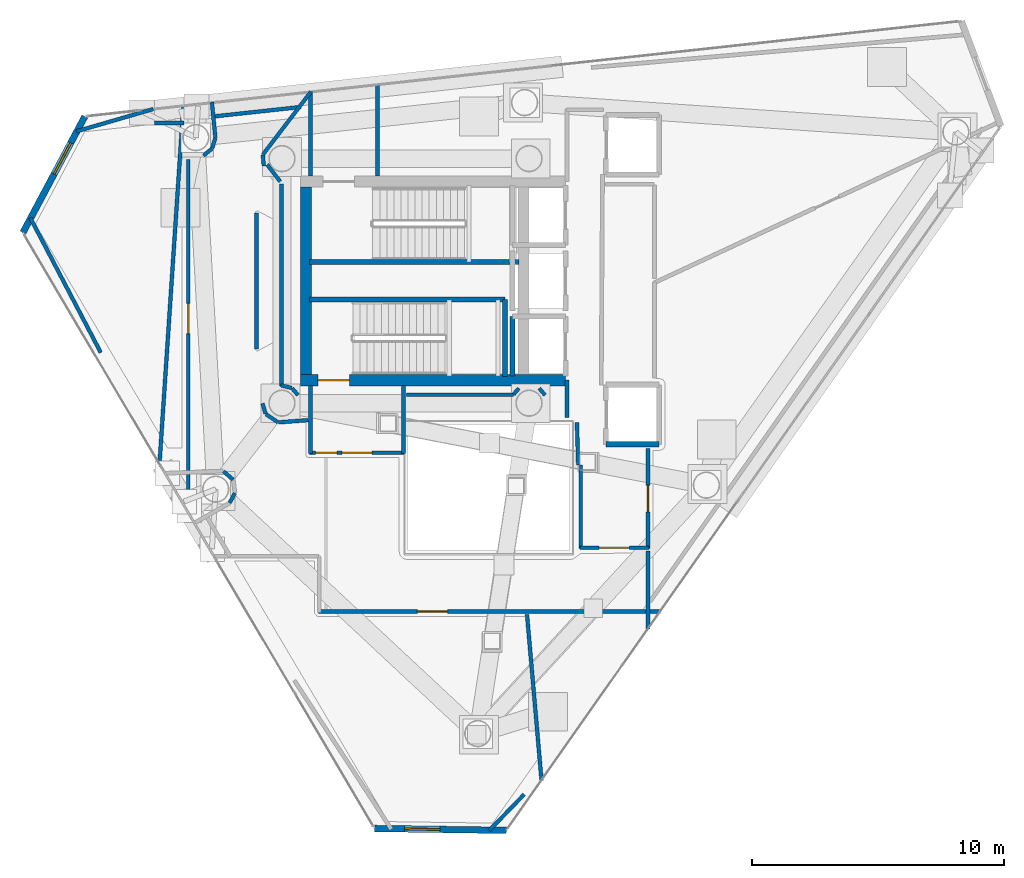
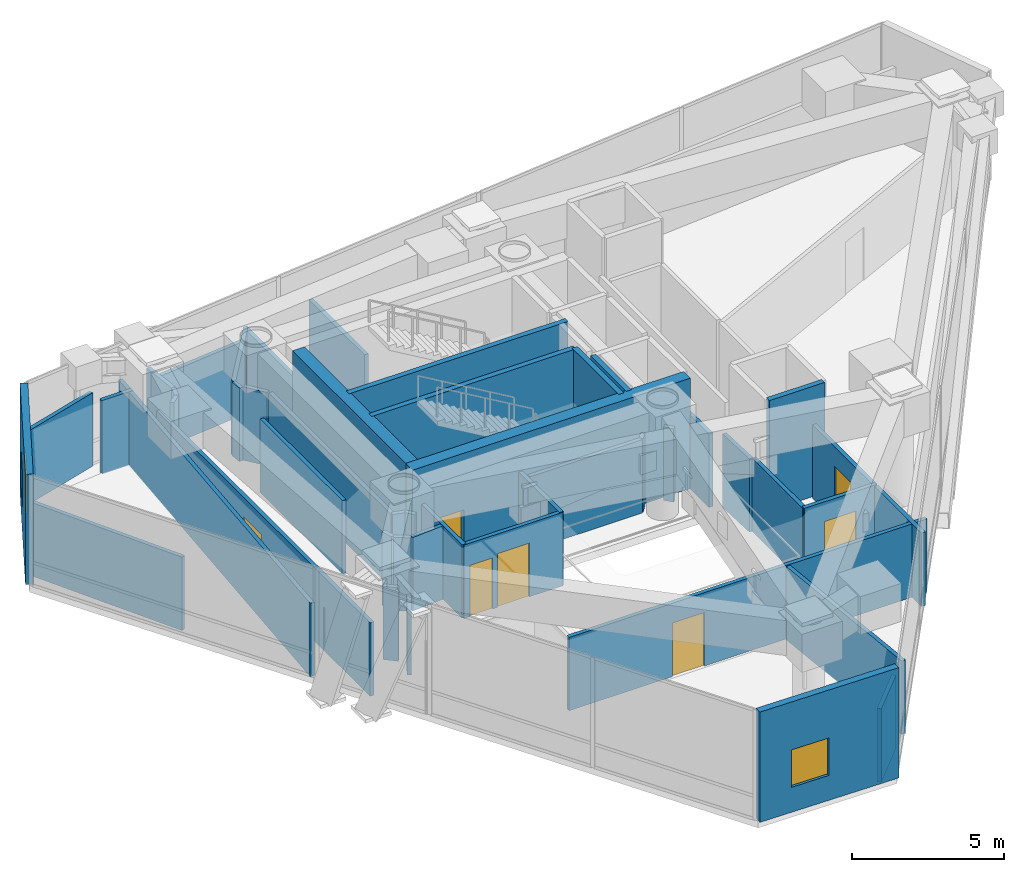
# One storey, part 18 of 21: 47 walls, 7 doors, 2 windows, 9 openings.
"""IFC4 building model written with IfcOpenShell, lengths in metres."""

import ifcopenshell
import ifcopenshell.guid

model = None  # the IFC model being written
_history = None  # IfcOwnerHistory: only IFC2X3 demands one
_inside = {}  # id of a spatial element -> (the spatial element, [elements in it])
_under = {}  # id of a project, library or spatial element -> (it, [spatial elements below it])
_declared = {}  # id of a project -> (the project, [libraries it declares])
_typed = {}  # id of a type object -> (the type object, [elements of that type])
_made_of = {}  # id of a material, layer set ... -> (it, [elements and type objects made of it])


def new_model(schema):
    """Start an empty IFC model of exactly this schema.

    Asked for "IFC4X3", IfcOpenShell would pick the latest addendum, in which some entities
    have other attributes; the version numbers below select the first issue.
    IFC2X3 requires an IfcOwnerHistory on every rooted entity: one is made here for all.
    """
    global model, _history
    if schema == "IFC4X3":
        model = ifcopenshell.file(schema_version=(4, 3, 0, 0))
    else:
        model = ifcopenshell.file(schema=schema)
    _inside.clear()
    _under.clear()
    _declared.clear()
    _typed.clear()
    _made_of.clear()
    _history = None
    if model.schema == "IFC2X3":
        org = make("IfcOrganization", Name="unknown")
        user = make(
            "IfcPersonAndOrganization",
            ThePerson=make("IfcPerson", FamilyName="unknown"),
            TheOrganization=org,
        )
        app = make(
            "IfcApplication",
            ApplicationDeveloper=org,
            Version="unknown",
            ApplicationFullName="unknown",
            ApplicationIdentifier="unknown",
        )
        _history = make(
            "IfcOwnerHistory",
            OwningUser=user,
            OwningApplication=app,
            ChangeAction="ADDED",
            CreationDate=0,
        )
    return model


def make(cls, **values):
    """One entity of the class cls with the attributes given. An attribute that is None is left unset."""
    return model.create_entity(
        cls, **{name: value for name, value in values.items() if value is not None}
    )


def rooted(cls, **values):
    """An entity with a GlobalId (a new one), such as an element, a storey or a relation."""
    return make(cls, GlobalId=ifcopenshell.guid.new(), OwnerHistory=_history, **values)


def si_unit(unit_type, name, prefix=None):
    """IfcSIUnit, for example si_unit("LENGTHUNIT", "METRE", prefix="MILLI")."""
    return make("IfcSIUnit", UnitType=unit_type, Prefix=prefix, Name=name)


def assignment(units):
    """IfcUnitAssignment: the units of a project."""
    return None if units is None else make("IfcUnitAssignment", Units=units)


def point(xyz):
    """IfcCartesianPoint."""
    return None if xyz is None else make("IfcCartesianPoint", Coordinates=xyz)


def direction(xyz):
    """IfcDirection."""
    return None if xyz is None else make("IfcDirection", DirectionRatios=xyz)


def frame(location, z_axis=None, x_axis=None):
    """IfcAxis2Placement3D, a coordinate frame: its origin and axes. An axis left out is left unset."""
    return make(
        "IfcAxis2Placement3D",
        Location=point(location),
        Axis=direction(z_axis),
        RefDirection=direction(x_axis),
    )


def frame_2d(location, x_axis=None):
    """IfcAxis2Placement2D, a coordinate frame in the plane: its origin and x axis."""
    return make(
        "IfcAxis2Placement2D", Location=point(location), RefDirection=direction(x_axis)
    )


def origin():
    """The frame at (0, 0, 0) with its axes left unset."""
    return frame((0.0, 0.0, 0.0))


def place(relative_to, where):
    """IfcLocalPlacement: puts the frame where relative to a parent placement (None: the world)."""
    return make(
        "IfcLocalPlacement", PlacementRelTo=relative_to, RelativePlacement=where
    )


def context(
    kind, dimensions, precision=None, world=None, true_north=None, identifier=None
):
    """IfcGeometricRepresentationContext, for example the 3D "Model" context."""
    return make(
        "IfcGeometricRepresentationContext",
        ContextIdentifier=identifier,
        ContextType=kind,
        CoordinateSpaceDimension=dimensions,
        Precision=precision,
        WorldCoordinateSystem=world,
        TrueNorth=true_north,
    )


def subcontext(parent, identifier, kind, view, scale=None):
    """IfcGeometricRepresentationSubContext, for example "Body" below "Model"."""
    return make(
        "IfcGeometricRepresentationSubContext",
        ContextIdentifier=identifier,
        ContextType=kind,
        ParentContext=parent,
        TargetScale=scale,
        TargetView=view,
    )


def project(units=None, contexts=None):
    """IfcProject with its units and contexts."""
    return rooted(
        "IfcProject",
        Name="project",
        RepresentationContexts=contexts,
        UnitsInContext=assignment(units),
    )


def spatial(cls, under=None, at=None, **own):
    """A site, building, storey or space (cls), placed at a placement, below another one or the project."""
    s = rooted(cls, ObjectPlacement=at, **own)
    if under is not None:
        _under.setdefault(under.id(), (under, []))[1].append(s)
    return s


def profile(cls, at=None, kind="AREA", **sizes):
    """A parametric profile (cls). Its sizes go by their IFC names, for example OverallWidth=200.0."""
    return make(cls, ProfileType=kind, Position=at, **sizes)


def rectangle(**sizes):
    """IfcRectangleProfileDef."""
    return profile("IfcRectangleProfileDef", **sizes)


def extrude(swept, where, along, depth):
    """IfcExtrudedAreaSolid: the profile swept, set in the frame where, extruded along a direction by depth."""
    return make(
        "IfcExtrudedAreaSolid",
        SweptArea=swept,
        Position=where,
        ExtrudedDirection=direction(along),
        Depth=depth,
    )


def shape(context_of_items, identifier, shape_type, items):
    """IfcShapeRepresentation: the items that make up one representation, for example the "Body"."""
    return make(
        "IfcShapeRepresentation",
        ContextOfItems=context_of_items,
        RepresentationIdentifier=identifier,
        RepresentationType=shape_type,
        Items=items,
    )


def material(Name=None, Category=None):
    """IfcMaterial."""
    return make("IfcMaterial", Name=Name, Category=Category)


def layer(
    of_material, thickness, ventilated=None, Name=None, Category=None, Priority=None
):
    """IfcMaterialLayer: one layer of a wall or slab, of a material (None: an air gap)."""
    return make(
        "IfcMaterialLayer",
        Material=of_material,
        LayerThickness=thickness,
        IsVentilated=ventilated,
        Name=Name,
        Category=Category,
        Priority=Priority,
    )


def layer_set(layers, Name=None):
    """IfcMaterialLayerSet."""
    return make("IfcMaterialLayerSet", MaterialLayers=layers, LayerSetName=Name)


def made_of(thing, what):
    """Note that an element or type object is made of a material, layer set ...; save() writes the relation."""
    if what is not None:
        _made_of.setdefault(what.id(), (what, []))[1].append(thing)
    return thing


def type_object(cls, material=None, **own):
    """A type object (cls), such as IfcWallType, which elements share."""
    return made_of(rooted(cls, **own), material)


def element(
    cls,
    number,
    at=None,
    inside=None,
    cuts=None,
    type_object=None,
    material=None,
    context=None,
    identifier="Body",
    shape_type=None,
    held_by="IfcProductDefinitionShape",
    body=None,
    shapes=None,
    **own,
):
    """One element of the class cls, such as IfcWall. Its Tag is "e" and its number.

    at: its placement. inside: the storey or other place that contains it. cuts: it is an
    opening in that element (IfcRelVoidsElement). A single representation is given by context,
    identifier, shape_type and body (its items); several are given by shapes. held_by: the class
    of the entity that holds the representations. save() writes the other relations.
    """
    e = rooted(cls, Tag="e%d" % number, ObjectPlacement=at, **own)
    if body is not None:
        shapes = [shape(context, identifier, shape_type, body)]
    if shapes is not None:
        e.Representation = make(held_by, Representations=shapes)
    if inside is not None:
        _inside.setdefault(inside.id(), (inside, []))[1].append(e)
    if cuts is not None:
        rooted(
            "IfcRelVoidsElement", RelatingBuildingElement=cuts, RelatedOpeningElement=e
        )
    if type_object is not None:
        _typed.setdefault(type_object.id(), (type_object, []))[1].append(e)
    return made_of(e, material)


def fill(opening, filler):
    """IfcRelFillsElement: the door or window that sits in an opening."""
    return rooted(
        "IfcRelFillsElement",
        RelatingOpeningElement=opening,
        RelatedBuildingElement=filler,
    )


def aggregate(whole, parts):
    """IfcRelAggregates: a whole, such as a stair, and the parts it consists of."""
    return rooted("IfcRelAggregates", RelatingObject=whole, RelatedObjects=parts)


def save(model, path):
    """Write the relations noted so far, then the file.

    IfcRelAggregates (storeys below a building ...), IfcRelContainedInSpatialStructure (elements
    in a storey), IfcRelDefinesByType, IfcRelAssociatesMaterial and IfcRelDeclares: one each for
    every whole, place, type object, material and project.
    """
    for whole, parts in _under.values():
        aggregate(whole, parts)
    for where, things in _inside.values():
        rooted(
            "IfcRelContainedInSpatialStructure",
            RelatedElements=things,
            RelatingStructure=where,
        )
    for kind, things in _typed.values():
        rooted("IfcRelDefinesByType", RelatedObjects=things, RelatingType=kind)
    for what, things in _made_of.values():
        rooted("IfcRelAssociatesMaterial", RelatedObjects=things, RelatingMaterial=what)
    for by, libraries in _declared.values():
        rooted("IfcRelDeclares", RelatingContext=by, RelatedDefinitions=libraries)
    model.write(path)


model = new_model("IFC4")

# Units and contexts
model_context = context("Model", 3, precision=1e-05, world=origin(), true_north=direction((0.0, 1.0)))
body_context = subcontext(model_context, "Body", "Model", "MODEL_VIEW")
ifc_project = project(units=[si_unit("LENGTHUNIT", "METRE"), si_unit("AREAUNIT", "SQUARE_METRE"), si_unit("VOLUMEUNIT", "CUBIC_METRE"), si_unit("PLANEANGLEUNIT", "RADIAN"), si_unit("MASSUNIT", "GRAM", prefix="KILO")], contexts=[model_context])

# Site, building, storey
site_placement = place(None, origin())
site = spatial("IfcSite", under=ifc_project, at=site_placement, CompositionType="ELEMENT")
building_placement = place(site_placement, origin())
building = spatial("IfcBuilding", under=site, at=building_placement, Name="Qianvela Tower", CompositionType="ELEMENT")
storey_placement = place(building_placement, frame((0.0, 0.0, 276.0)))
storey = spatial("IfcBuildingStorey", under=building, at=storey_placement, Name="L71", CompositionType="ELEMENT", Elevation=276.0)

# Wall, opening, window
ifc_material_1 = material(Name="Terracotta Cladding on Concrete C40", Category="masonry")
ifc_layer_1 = layer(ifc_material_1, 0.260009765625)
ifc_layer_set_1 = layer_set([ifc_layer_1], Name="Terracotta Cladding on Concrete C40")
wall_type_1 = type_object("IfcWallType", Name="TERRACOTTA-WALL-260", PredefinedType="SOLIDWALL", material=ifc_layer_set_1)
wall_1_placement = place(storey_placement, frame((20.776611328125, 35.221435546875, 0.0), z_axis=(0.0, 0.0, 1.0), x_axis=(-0.470359968521, -0.882474645535, 0.0)))
wall_1 = element("IfcWall", 1, at=wall_1_placement, inside=storey, type_object=wall_type_1, Name="L71 Terracotta Chamfer Facet Wall 3", PredefinedType="SOLIDWALL", context=body_context, shape_type="SweptSolid", body=[
    extrude(rectangle(XDim=5.218505859375, YDim=0.260009765625, at=frame_2d((2.609375, 0.0))), origin(), (0.0, 0.0, 1.0), 4.419921875),
])
opening_1_placement = place(wall_1_placement, frame((1.185546875, 0.0, 1.0)))
opening_1 = element("IfcOpeningElement", 2, at=opening_1_placement, cuts=wall_1, Name="Opening W-06", PredefinedType="OPENING", context=body_context, shape_type="SweptSolid", body=[
    extrude(rectangle(XDim=1.39990234375, YDim=1.5, at=frame_2d((0.699951171875, 0.75))), frame((0.0, 0.139892578125, 0.0), z_axis=(0.0, -1.0, 0.0), x_axis=(1.0, 0.0, 0.0)), (0.0, 0.0, 1.0), 0.280029296875),
])
ifc_material_2 = material(Name="Thermally Broken Aluminium and Low-E Glass", Category="aluminium")
window_type = type_object("IfcWindowType", Name="WIN-REF-1400x1500", PartitioningType="SINGLE_PANEL", PredefinedType="WINDOW", material=ifc_material_2)
window_1_placement = place(opening_1_placement, origin())
window_1 = element("IfcWindow", 3, at=window_1_placement, inside=storey, type_object=window_type, Name="L71 Chamfer Facet Window 3.1", OverallHeight=1.5, OverallWidth=1.39990234375, PartitioningType="SINGLE_PANEL", PredefinedType="WINDOW", context=body_context, shape_type="SweptSolid", body=[
    extrude(rectangle(XDim=1.39990234375, YDim=1.5, at=frame_2d((0.699951171875, 0.75))), frame((0.0, 0.030029296875, 0.0), z_axis=(0.0, -1.0, 0.0), x_axis=(1.0, 0.0, 0.0)), (0.0, 0.0, 1.0), 0.06005859375),
])
fill(opening_1, window_1)

wall_2_placement = place(storey_placement, frame((32.279541015625, 6.977783203125, 0.0), z_axis=(0.0, 0.0, 1.0), x_axis=(0.999896181959, -0.014409209004, 0.0)))
wall_2 = element("IfcWall", 4, at=wall_2_placement, inside=storey, type_object=wall_type_1, Name="L71 Terracotta Chamfer Facet Wall 5", PredefinedType="SOLIDWALL", context=body_context, shape_type="SweptSolid", body=[
    extrude(rectangle(XDim=5.218505859375, YDim=0.260009765625, at=frame_2d((2.609375, 0.0))), origin(), (0.0, 0.0, 1.0), 4.419921875),
])
opening_2_placement = place(wall_2_placement, frame((1.185546875, 0.0, 1.0)))
opening_2 = element("IfcOpeningElement", 5, at=opening_2_placement, cuts=wall_2, Name="Opening W-06", PredefinedType="OPENING", context=body_context, shape_type="SweptSolid", body=[
    extrude(rectangle(XDim=1.39990234375, YDim=1.5, at=frame_2d((0.699951171875, 0.75))), frame((0.0, 0.139892578125, 0.0), z_axis=(0.0, -1.0, 0.0), x_axis=(1.0, 0.0, 0.0)), (0.0, 0.0, 1.0), 0.280029296875),
])
window_2_placement = place(opening_2_placement, origin())
window_2 = element("IfcWindow", 6, at=window_2_placement, inside=storey, type_object=window_type, Name="L71 Chamfer Facet Window 5.1", OverallHeight=1.5, OverallWidth=1.39990234375, PartitioningType="SINGLE_PANEL", PredefinedType="WINDOW", context=body_context, shape_type="SweptSolid", body=[
    extrude(rectangle(XDim=1.39990234375, YDim=1.5, at=frame_2d((0.699951171875, 0.75))), frame((0.0, 0.030029296875, 0.0), z_axis=(0.0, -1.0, 0.0), x_axis=(1.0, 0.0, 0.0)), (0.0, 0.0, 1.0), 0.06005859375),
])
fill(opening_2, window_2)

# Wall, opening, door
ifc_material_3 = material(Name="Concrete C50", Category="concrete")
ifc_layer_2 = layer(ifc_material_3, 0.449951171875)
ifc_layer_set_2 = layer_set([ifc_layer_2], Name="Concrete C50")
wall_type_2 = type_object("IfcWallType", Name="WT-CORE-450", PredefinedType="SHEAR", material=ifc_layer_set_2)
wall_3_placement = place(storey_placement, frame((29.330078125, 24.7548828125, 0.0), z_axis=(0.0, 0.0, 1.0), x_axis=(1.0, 0.0, 0.0)))
wall_3 = element("IfcWall", 7, at=wall_3_placement, inside=storey, type_object=wall_type_2, Name="L71 South Core Shear Wall", PredefinedType="SHEAR", context=body_context, shape_type="SweptSolid", body=[
    extrude(rectangle(XDim=10.52001953125, YDim=0.449951171875, at=frame_2d((5.260009765625, 0.0))), origin(), (0.0, 0.0, 1.0), 4.419921875),
])
opening_3_placement = place(wall_3_placement, frame((0.695068359375, 0.0, 0.0)))
opening_3 = element("IfcOpeningElement", 8, at=opening_3_placement, cuts=wall_3, Name="Opening D-ST1", PredefinedType="OPENING", context=body_context, shape_type="SweptSolid", body=[
    extrude(rectangle(XDim=1.25, YDim=2.14990234375, at=frame_2d((0.625, 1.074951171875))), frame((0.0, 0.23486328125, 0.0), z_axis=(0.0, -1.0, 0.0), x_axis=(1.0, 0.0, 0.0)), (0.0, 0.0, 1.0), 0.469970703125),
])
ifc_material_4 = material(Name="Galvanised Fire Steel Q355B", Category="steel")
door_type_1 = type_object("IfcDoorType", Name="DT-STAIR-FD90", OperationType="NOTDEFINED", PredefinedType="DOOR", material=ifc_material_4)
door_1_placement = place(opening_3_placement, origin())
door_1 = element("IfcDoor", 9, at=door_1_placement, inside=storey, type_object=door_type_1, Name="L71 Stair ST-2 Exit Door", OperationType="SINGLE_SWING_LEFT", OverallHeight=2.14990234375, OverallWidth=1.25, PredefinedType="DOOR", context=body_context, shape_type="SweptSolid", body=[
    extrude(rectangle(XDim=1.25, YDim=2.14990234375, at=frame_2d((0.625, 1.074951171875))), frame((0.0, 0.02490234375, 0.0), z_axis=(0.0, -1.0, 0.0), x_axis=(1.0, 0.0, 0.0)), (0.0, 0.0, 1.0), 0.050048828125),
])
fill(opening_3, door_1)

# Walls
wall_4_placement = place(storey_placement, frame((29.554931640625, 24.97998046875, 0.0), z_axis=(0.0, 0.0, 1.0), x_axis=(0.0, 1.0, 0.0)))
element("IfcWall", 10, at=wall_4_placement, inside=storey, type_object=wall_type_2, Name="L71 West Core Shear Wall", PredefinedType="SHEAR", context=body_context, shape_type="SweptSolid", body=[
    extrude(rectangle(XDim=7.43994140625, YDim=0.449951171875, at=frame_2d((3.719970703125, 0.0))), origin(), (0.0, 0.0, 1.0), 4.419921875),
])
ifc_material_5 = material(Name="Fire-Rated Acoustic Gypsum Board")
ifc_layer_3 = layer(ifc_material_5, 0.14990234375)
ifc_layer_set_3 = layer_set([ifc_layer_3], Name="Fire-Rated Acoustic Gypsum Board")
wall_type_3 = type_object("IfcWallType", Name="WT-CORR-150", PredefinedType="PARTITIONING", material=ifc_layer_set_3)
wall_5_placement = place(storey_placement, frame((29.73095703125, 32.85791015625, 0.0), z_axis=(0.0, 0.0, 1.0), x_axis=(0.0, 1.0, 0.0)))
element("IfcWall", 11, at=wall_5_placement, inside=storey, type_object=wall_type_3, Name="L71 Partition 2", PredefinedType="PARTITIONING", context=body_context, shape_type="SweptSolid", body=[
    extrude(rectangle(XDim=3.357421875, YDim=0.14990234375, at=frame_2d((1.6787109375, 0.0))), origin(), (0.0, 0.0, 1.0), 2.93994140625),
])
wall_6_placement = place(storey_placement, frame((32.388916015625, 36.50439453125, 0.0), z_axis=(0.0, 0.0, 1.0), x_axis=(0.0, -1.0, 0.0)))
element("IfcWall", 12, at=wall_6_placement, inside=storey, type_object=wall_type_3, Name="L71 Partition 4", PredefinedType="PARTITIONING", context=body_context, shape_type="SweptSolid", body=[
    extrude(rectangle(XDim=3.646484375, YDim=0.14990234375, at=frame_2d((1.8232421875, 0.0))), origin(), (0.0, 0.0, 1.0), 2.93994140625),
])

# Wall, openings, doors
wall_7_placement = place(storey_placement, frame((33.449951171875, 21.881103515625, 0.0), z_axis=(0.0, 0.0, 1.0), x_axis=(-1.0, 0.0, 0.0)))
wall_7 = element("IfcWall", 13, at=wall_7_placement, inside=storey, type_object=wall_type_3, Name="L71 Partition 5", PredefinedType="PARTITIONING", context=body_context, shape_type="SweptSolid", body=[
    extrude(rectangle(XDim=3.75, YDim=0.14990234375, at=frame_2d((1.875, 0.0))), origin(), (0.0, 0.0, 1.0), 2.93994140625),
])
opening_4_placement = place(wall_7_placement, frame((1.27490234375, 0.0, 0.0)))
opening_4 = element("IfcOpeningElement", 14, at=opening_4_placement, cuts=wall_7, Name="Opening D-LB1", PredefinedType="OPENING", context=body_context, shape_type="SweptSolid", body=[
    extrude(rectangle(XDim=1.199951171875, YDim=2.14990234375, at=frame_2d((0.60009765625, 1.074951171875))), frame((0.0, 0.0849609375, 0.0), z_axis=(0.0, -1.0, 0.0), x_axis=(1.0, 0.0, 0.0)), (0.0, 0.0, 1.0), 0.169921875),
])
opening_5_placement = place(wall_7_placement, frame((2.659912109375, 0.0, 0.0)))
opening_5 = element("IfcOpeningElement", 15, at=opening_5_placement, cuts=wall_7, Name="Opening D-LB2", PredefinedType="OPENING", context=body_context, shape_type="SweptSolid", body=[
    extrude(rectangle(XDim=0.860107421875, YDim=2.050048828125, at=frame_2d((0.43017578125, 1.02490234375))), frame((0.0, 0.0849609375, 0.0), z_axis=(0.0, -1.0, 0.0), x_axis=(1.0, 0.0, 0.0)), (0.0, 0.0, 1.0), 0.169921875),
])
ifc_material_6 = material(Name="Glazed Fire-Rated Steel Frame", Category="steel")
door_type_2 = type_object("IfcDoorType", Name="DT-LOBBY-FD90", OperationType="NOTDEFINED", PredefinedType="DOOR", material=ifc_material_6)
door_2_placement = place(opening_4_placement, origin())
door_2 = element("IfcDoor", 16, at=door_2_placement, inside=storey, type_object=door_type_2, Name="L71 Door L71 Firefighting Lobby South to L71 Mechanical Plant Corridor", OperationType="SINGLE_SWING_LEFT", OverallHeight=2.14990234375, OverallWidth=1.199951171875, PredefinedType="DOOR", context=body_context, shape_type="SweptSolid", body=[
    extrude(rectangle(XDim=1.199951171875, YDim=2.14990234375, at=frame_2d((0.60009765625, 1.074951171875))), frame((0.0, 0.02490234375, 0.0), z_axis=(0.0, -1.0, 0.0), x_axis=(1.0, 0.0, 0.0)), (0.0, 0.0, 1.0), 0.050048828125),
])
fill(opening_4, door_2)
ifc_material_7 = material(Name="Insulated Steel Fire Door Q355B", Category="steel")
door_type_3 = type_object("IfcDoorType", Name="DT-LOBBY-FD90-860", OperationType="NOTDEFINED", PredefinedType="DOOR", material=ifc_material_7)
door_3_placement = place(opening_5_placement, origin())
door_3 = element("IfcDoor", 17, at=door_3_placement, inside=storey, type_object=door_type_3, Name="L71 Door L71 Firefighting Lobby South to L71 Mechanical Plant Corridor", OperationType="SINGLE_SWING_RIGHT", OverallHeight=2.050048828125, OverallWidth=0.860107421875, PredefinedType="DOOR", context=body_context, shape_type="SweptSolid", body=[
    extrude(rectangle(XDim=0.860107421875, YDim=2.050048828125, at=frame_2d((0.43017578125, 1.02490234375))), frame((0.0, 0.02490234375, 0.0), z_axis=(0.0, -1.0, 0.0), x_axis=(1.0, 0.0, 0.0)), (0.0, 0.0, 1.0), 0.050048828125),
])
fill(opening_5, door_3)

# Walls
for number, where, z_axis, x_axis, name in (
    (18, (29.73095703125, 21.85009765625, 0.0), (0.0, 0.0, 1.0), (0.0, 1.0, 0.0), "L71 Partition 6"),
    (19, (33.4189453125, 24.5419921875, 0.0), (0.0, 0.0, 1.0), (0.0, -1.0, 0.0), "L71 Partition 8"),
):
    element("IfcWall", number, at=place(storey_placement, frame(where, z_axis=z_axis, x_axis=x_axis)), inside=storey, type_object=wall_type_3, Name=name, PredefinedType="PARTITIONING", context=body_context, shape_type="SweptSolid", body=[
        extrude(rectangle(XDim=2.69189453125, YDim=0.14990234375, at=frame_2d((1.345947265625, 0.0))), origin(), (0.0, 0.0, 1.0), 2.93994140625),
    ])
wall_8_placement = place(storey_placement, frame((40.35107421875, 21.40087890625, 0.0), z_axis=(0.0, 0.0, 1.0), x_axis=(-0.031058045979, 0.999517582527, 0.0)))
element("IfcWall", 20, at=wall_8_placement, inside=storey, type_object=wall_type_3, Name="L71 Partition 9", PredefinedType="PARTITIONING", context=body_context, shape_type="SweptSolid", body=[
    extrude(rectangle(XDim=1.68212890625, YDim=0.14990234375, at=frame_2d((0.841064453125, 0.0))), origin(), (0.0, 0.0, 1.0), 2.93994140625),
])
wall_9_placement = place(storey_placement, frame((39.910888671875, 23.280029296875, 0.0), z_axis=(0.0, 0.0, 1.0), x_axis=(0.0, 1.0, 0.0)))
element("IfcWall", 21, at=wall_9_placement, inside=storey, type_object=wall_type_3, Name="L71 Partition 10", PredefinedType="PARTITIONING", context=body_context, shape_type="SweptSolid", body=[
    extrude(rectangle(XDim=1.47998046875, YDim=0.14990234375, at=frame_2d((0.739990234375, 0.0))), origin(), (0.0, 0.0, 1.0), 2.93994140625),
])

# Wall, opening, door
wall_10_placement = place(storey_placement, frame((43.118896484375, 22.050048828125, 0.0), z_axis=(0.0, 0.0, 1.0), x_axis=(0.0, -1.0, 0.0)))
wall_10 = element("IfcWall", 22, at=wall_10_placement, inside=storey, type_object=wall_type_3, Name="L71 Partition 16", PredefinedType="PARTITIONING", context=body_context, shape_type="SweptSolid", body=[
    extrude(rectangle(XDim=3.969970703125, YDim=0.14990234375, at=frame_2d((1.98486328125, 0.0))), origin(), (0.0, 0.0, 1.0), 2.93994140625),
])
opening_6_placement = place(wall_10_placement, frame((1.4599609375, 0.0, 0.0)))
opening_6 = element("IfcOpeningElement", 23, at=opening_6_placement, cuts=wall_10, Name="Opening D-PL1", PredefinedType="OPENING", context=body_context, shape_type="SweptSolid", body=[
    extrude(rectangle(XDim=1.050048828125, YDim=2.14990234375, at=frame_2d((0.52490234375, 1.074951171875))), frame((0.0, 0.0849609375, 0.0), z_axis=(0.0, -1.0, 0.0), x_axis=(1.0, 0.0, 0.0)), (0.0, 0.0, 1.0), 0.169921875),
])
ifc_material_8 = material(Name="Insulated Steel Fire Door Q355B", Category="steel")
door_type_4 = type_object("IfcDoorType", Name="DT-PLANT-FD90", OperationType="NOTDEFINED", PredefinedType="DOOR", material=ifc_material_8)
door_4_placement = place(opening_6_placement, origin())
door_4 = element("IfcDoor", 24, at=door_4_placement, inside=storey, type_object=door_type_4, Name="L71 Door L71 Hydronic Heat Exchanger and Fire Pump Room to L71 Lift Lobby", OperationType="SINGLE_SWING_LEFT", OverallHeight=2.14990234375, OverallWidth=1.050048828125, PredefinedType="DOOR", context=body_context, shape_type="SweptSolid", body=[
    extrude(rectangle(XDim=1.050048828125, YDim=2.14990234375, at=frame_2d((0.52490234375, 1.074951171875))), frame((0.0, 0.02490234375, 0.0), z_axis=(0.0, -1.0, 0.0), x_axis=(1.0, 0.0, 0.0)), (0.0, 0.0, 1.0), 0.050048828125),
])
fill(opening_6, door_4)

wall_11_placement = place(storey_placement, frame((43.14990234375, 18.111083984375, 0.0), z_axis=(0.0, 0.0, 1.0), x_axis=(-1.0, 0.0, 0.0)))
wall_11 = element("IfcWall", 25, at=wall_11_placement, inside=storey, type_object=wall_type_3, Name="L71 Partition 17", PredefinedType="PARTITIONING", context=body_context, shape_type="SweptSolid", body=[
    extrude(rectangle(XDim=2.72998046875, YDim=0.14990234375, at=frame_2d((1.364990234375, 0.0))), origin(), (0.0, 0.0, 1.0), 2.93994140625),
])
opening_7_placement = place(wall_11_placement, frame((0.764892578125, 0.0, 0.0)))
opening_7 = element("IfcOpeningElement", 26, at=opening_7_placement, cuts=wall_11, Name="Opening D-LB1", PredefinedType="OPENING", context=body_context, shape_type="SweptSolid", body=[
    extrude(rectangle(XDim=1.199951171875, YDim=2.14990234375, at=frame_2d((0.60009765625, 1.074951171875))), frame((0.0, 0.0849609375, 0.0), z_axis=(0.0, -1.0, 0.0), x_axis=(1.0, 0.0, 0.0)), (0.0, 0.0, 1.0), 0.169921875),
])
door_5_placement = place(opening_7_placement, origin())
door_5 = element("IfcDoor", 27, at=door_5_placement, inside=storey, type_object=door_type_2, Name="L71 Door L71 Lift Lobby to L71 Mechanical Plant Corridor", OperationType="SINGLE_SWING_RIGHT", OverallHeight=2.14990234375, OverallWidth=1.199951171875, PredefinedType="DOOR", context=body_context, shape_type="SweptSolid", body=[
    extrude(rectangle(XDim=1.199951171875, YDim=2.14990234375, at=frame_2d((0.60009765625, 1.074951171875))), frame((0.0, 0.02490234375, 0.0), z_axis=(0.0, -1.0, 0.0), x_axis=(1.0, 0.0, 0.0)), (0.0, 0.0, 1.0), 0.050048828125),
])
fill(opening_7, door_5)

# Walls
wall_12_placement = place(storey_placement, frame((40.450927734375, 18.080078125, 0.0), z_axis=(0.0, 0.0, 1.0), x_axis=(0.0, 1.0, 0.0)))
element("IfcWall", 28, at=wall_12_placement, inside=storey, type_object=wall_type_3, Name="L71 Partition 18 seg 1", PredefinedType="PARTITIONING", context=body_context, shape_type="SweptSolid", body=[
    extrude(rectangle(XDim=3.31982421875, YDim=0.14990234375, at=frame_2d((1.659912109375, 0.0))), origin(), (0.0, 0.0, 1.0), 2.93994140625),
])
wall_13_placement = place(storey_placement, frame((29.236083984375, 24.170166015625, 0.0), z_axis=(0.0, 0.0, 1.0), x_axis=(-0.652260263346, 0.757995084984, 0.0)))
element("IfcWall", 29, at=wall_13_placement, inside=storey, type_object=wall_type_3, Name="L71 Partition 23", PredefinedType="PARTITIONING", context=body_context, shape_type="SweptSolid", body=[
    extrude(rectangle(XDim=0.35546875, YDim=0.14990234375, at=frame_2d((0.177734375, 0.0))), origin(), (0.0, 0.0, 1.0), 2.93994140625),
])
wall_14_placement = place(storey_placement, frame((28.98828125, 24.44970703125, 0.0), z_axis=(0.0, 0.0, 1.0), x_axis=(-0.968704505916, 0.248216800836, 0.0)))
element("IfcWall", 30, at=wall_14_placement, inside=storey, type_object=wall_type_3, Name="L71 Partition 24", PredefinedType="PARTITIONING", context=body_context, shape_type="SweptSolid", body=[
    extrude(rectangle(XDim=0.444580078125, YDim=0.14990234375, at=frame_2d((0.22216796875, 0.0))), origin(), (0.0, 0.0, 1.0), 2.93994140625),
])
wall_15_placement = place(storey_placement, frame((28.5810546875, 24.530029296875, 0.0), z_axis=(0.0, 0.0, 1.0), x_axis=(0.0, 1.0, 0.0)))
element("IfcWall", 31, at=wall_15_placement, inside=storey, type_object=wall_type_3, Name="L71 Partition 25", PredefinedType="PARTITIONING", context=body_context, shape_type="SweptSolid", body=[
    extrude(rectangle(XDim=8.02001953125, YDim=0.14990234375, at=frame_2d((4.010009765625, 0.0))), origin(), (0.0, 0.0, 1.0), 2.93994140625),
])
wall_16_placement = place(storey_placement, frame((39.0361328125, 24.170166015625, 0.0), z_axis=(0.0, 0.0, 1.0), x_axis=(-0.652260263346, 0.757995084984, 0.0)))
element("IfcWall", 32, at=wall_16_placement, inside=storey, type_object=wall_type_3, Name="L71 Partition 31", PredefinedType="PARTITIONING", context=body_context, shape_type="SweptSolid", body=[
    extrude(rectangle(XDim=0.35546875, YDim=0.14990234375, at=frame_2d((0.177734375, 0.0))), origin(), (0.0, 0.0, 1.0), 2.93994140625),
])
wall_17_placement = place(storey_placement, frame((37.995849609375, 24.439697265625, 0.0), z_axis=(0.0, 0.0, 1.0), x_axis=(-0.652425645794, -0.757852740782, 0.0)))
element("IfcWall", 33, at=wall_17_placement, inside=storey, type_object=wall_type_3, Name="L71 Partition 34", PredefinedType="PARTITIONING", context=body_context, shape_type="SweptSolid", body=[
    extrude(rectangle(XDim=0.319580078125, YDim=0.14990234375, at=frame_2d((0.15966796875, 0.0))), origin(), (0.0, 0.0, 1.0), 2.93994140625),
])
wall_18_placement = place(storey_placement, frame((37.787353515625, 24.180908203125, 0.0), z_axis=(0.0, 0.0, 1.0), x_axis=(-1.0, 0.0, 0.0)))
element("IfcWall", 34, at=wall_18_placement, inside=storey, type_object=wall_type_3, Name="L71 Partition 35", PredefinedType="PARTITIONING", context=body_context, shape_type="SweptSolid", body=[
    extrude(rectangle(XDim=4.25732421875, YDim=0.14990234375, at=frame_2d((2.128662109375, 0.0))), origin(), (0.0, 0.0, 1.0), 2.93994140625),
])
wall_19_placement = place(storey_placement, frame((21.40966796875, 25.85888671875, 0.0), z_axis=(0.0, 0.0, 1.0), x_axis=(-0.463350319383, 0.886175197987, 0.0)))
element("IfcWall", 35, at=wall_19_placement, inside=storey, type_object=wall_type_3, Name="L71 Partition 36 seg 1", PredefinedType="PARTITIONING", context=body_context, shape_type="SweptSolid", body=[
    extrude(rectangle(XDim=6.030517578125, YDim=0.14990234375, at=frame_2d((3.01513671875, 0.0))), origin(), (0.0, 0.0, 1.0), 2.93994140625),
])
wall_20_placement = place(storey_placement, frame((20.443115234375, 34.631103515625, 0.0), z_axis=(0.0, 0.0, 1.0), x_axis=(0.960305053104, 0.278951976124, 0.0)))
element("IfcWall", 36, at=wall_20_placement, inside=storey, type_object=wall_type_3, Name="L71 Partition 38", PredefinedType="PARTITIONING", context=body_context, shape_type="SweptSolid", body=[
    extrude(rectangle(XDim=3.176025390625, YDim=0.14990234375, at=frame_2d((1.587890625, 0.0))), origin(), (0.0, 0.0, 1.0), 2.93994140625),
])
wall_21_placement = place(storey_placement, frame((23.54931640625, 34.968994140625, 0.0), z_axis=(0.0, 0.0, 1.0), x_axis=(1.0, 0.0, 0.0)))
element("IfcWall", 37, at=wall_21_placement, inside=storey, type_object=wall_type_3, Name="L71 Partition 39", PredefinedType="PARTITIONING", context=body_context, shape_type="SweptSolid", body=[
    extrude(rectangle(XDim=1.170654296875, YDim=0.14990234375, at=frame_2d((0.58544921875, 0.0))), origin(), (0.0, 0.0, 1.0), 2.93994140625),
])
wall_22_placement = place(storey_placement, frame((24.68896484375, 35.6669921875, 0.0), z_axis=(0.0, 0.0, 1.0), x_axis=(-0.066536056744, -0.997784021296, 0.0)))
element("IfcWall", 38, at=wall_22_placement, inside=storey, type_object=wall_type_3, Name="L71 Partition 40", PredefinedType="PARTITIONING", context=body_context, shape_type="SweptSolid", body=[
    extrude(rectangle(XDim=14.2587890625, YDim=0.14990234375, at=frame_2d((7.12939453125, 0.0))), origin(), (0.0, 0.0, 1.0), 2.93994140625),
])
wall_23_placement = place(storey_placement, frame((26.658935546875, 20.816650390625, 0.0), z_axis=(0.0, 0.0, 1.0), x_axis=(-0.754397665134, 0.656417674077, 0.0)))
element("IfcWall", 39, at=wall_23_placement, inside=storey, type_object=wall_type_3, Name="L71 Partition 42", PredefinedType="PARTITIONING", context=body_context, shape_type="SweptSolid", body=[
    extrude(rectangle(XDim=0.505859375, YDim=0.14990234375, at=frame_2d((0.2529296875, 0.0))), origin(), (0.0, 0.0, 1.0), 2.93994140625),
])

# Wall, opening, door
wall_24_placement = place(storey_placement, frame((24.881103515625, 19.48779296875, 0.0), z_axis=(0.0, 0.0, 1.0), x_axis=(0.0, 1.0, 0.0)))
wall_24 = element("IfcWall", 40, at=wall_24_placement, inside=storey, type_object=wall_type_3, Name="L71 Partition 44", PredefinedType="PARTITIONING", context=body_context, shape_type="SweptSolid", body=[
    extrude(rectangle(XDim=14.020751953125, YDim=0.14990234375, at=frame_2d((7.01025390625, 0.0))), origin(), (0.0, 0.0, 1.0), 2.93994140625),
])
opening_8_placement = place(wall_24_placement, frame((7.122802734375, 0.0, 0.0)))
opening_8 = element("IfcOpeningElement", 41, at=opening_8_placement, cuts=wall_24, Name="Opening D-LB1", PredefinedType="OPENING", context=body_context, shape_type="SweptSolid", body=[
    extrude(rectangle(XDim=1.199951171875, YDim=2.14990234375, at=frame_2d((0.60009765625, 1.074951171875))), frame((0.0, 0.0849609375, 0.0), z_axis=(0.0, -1.0, 0.0), x_axis=(1.0, 0.0, 0.0)), (0.0, 0.0, 1.0), 0.169921875),
])
door_6_placement = place(opening_8_placement, origin())
door_6 = element("IfcDoor", 42, at=door_6_placement, inside=storey, type_object=door_type_2, Name="L71 Door L71 Fire Refuge Area North to L71 Mechanical Plant Corridor", OperationType="SINGLE_SWING_LEFT", OverallHeight=2.14990234375, OverallWidth=1.199951171875, PredefinedType="DOOR", context=body_context, shape_type="SweptSolid", body=[
    extrude(rectangle(XDim=1.199951171875, YDim=2.14990234375, at=frame_2d((0.60009765625, 1.074951171875))), frame((0.0, 0.02490234375, 0.0), z_axis=(0.0, -1.0, 0.0), x_axis=(1.0, 0.0, 0.0)), (0.0, 0.0, 1.0), 0.050048828125),
])
fill(opening_8, door_6)

# Walls
wall_25_placement = place(storey_placement, frame((25.48681640625, 33.671630859375, 0.0), z_axis=(0.0, 0.0, 1.0), x_axis=(0.772874573992, 0.634558817507, 0.0)))
element("IfcWall", 43, at=wall_25_placement, inside=storey, type_object=wall_type_3, Name="L71 Partition 45", PredefinedType="PARTITIONING", context=body_context, shape_type="SweptSolid", body=[
    extrude(rectangle(XDim=0.432373046875, YDim=0.14990234375, at=frame_2d((0.21630859375, 0.0))), origin(), (0.0, 0.0, 1.0), 2.93994140625),
])
wall_26_placement = place(storey_placement, frame((25.8310546875, 33.961181640625, 0.0), z_axis=(0.0, 0.0, 1.0), x_axis=(0.290712335605, 0.956810502622, 0.0)))
element("IfcWall", 44, at=wall_26_placement, inside=storey, type_object=wall_type_3, Name="L71 Partition 46", PredefinedType="PARTITIONING", context=body_context, shape_type="SweptSolid", body=[
    extrude(rectangle(XDim=0.4326171875, YDim=0.14990234375, at=frame_2d((0.21630859375, 0.0))), origin(), (0.0, 0.0, 1.0), 2.93994140625),
])
wall_27_placement = place(storey_placement, frame((25.9580078125, 34.386962890625, 0.0), z_axis=(0.0, 0.0, 1.0), x_axis=(-0.098183477127, 0.995168329892, 0.0)))
element("IfcWall", 45, at=wall_27_placement, inside=storey, type_object=wall_type_3, Name="L71 Partition 47", PredefinedType="PARTITIONING", context=body_context, shape_type="SweptSolid", body=[
    extrude(rectangle(XDim=1.409912109375, YDim=0.14990234375, at=frame_2d((0.705078125, 0.0))), origin(), (0.0, 0.0, 1.0), 2.93994140625),
])
wall_28_placement = place(storey_placement, frame((25.84521484375, 35.218505859375, 0.0), z_axis=(0.0, 0.0, 1.0), x_axis=(0.994138480781, 0.108114203647, 0.0)))
element("IfcWall", 46, at=wall_28_placement, inside=storey, type_object=wall_type_3, Name="L71 Partition 48", PredefinedType="PARTITIONING", context=body_context, shape_type="SweptSolid", body=[
    extrude(rectangle(XDim=3.52734375, YDim=0.14990234375, at=frame_2d((1.763671875, 0.0))), origin(), (0.0, 0.0, 1.0), 2.93994140625),
])
wall_29_placement = place(storey_placement, frame((29.754150390625, 36.21240234375, 0.0), z_axis=(0.0, 0.0, 1.0), x_axis=(-0.607242587909, -0.794516481534, 0.0)))
element("IfcWall", 47, at=wall_29_placement, inside=storey, type_object=wall_type_3, Name="L71 Partition 49", PredefinedType="PARTITIONING", context=body_context, shape_type="SweptSolid", body=[
    extrude(rectangle(XDim=3.14453125, YDim=0.14990234375, at=frame_2d((1.572265625, 0.0))), origin(), (0.0, 0.0, 1.0), 2.93994140625),
])
wall_30_placement = place(storey_placement, frame((27.83837890625, 33.6923828125, 0.0), z_axis=(0.0, 0.0, 1.0), x_axis=(0.098218203714, -0.995164903149, 0.0)))
element("IfcWall", 48, at=wall_30_placement, inside=storey, type_object=wall_type_3, Name="L71 Partition 50", PredefinedType="PARTITIONING", context=body_context, shape_type="SweptSolid", body=[
    extrude(rectangle(XDim=0.4326171875, YDim=0.14990234375, at=frame_2d((0.21630859375, 0.0))), origin(), (0.0, 0.0, 1.0), 2.93994140625),
])
wall_31_placement = place(storey_placement, frame((27.589111328125, 31.393798828125, 0.0), z_axis=(0.0, 0.0, 1.0), x_axis=(0.0, -1.0, 0.0)))
element("IfcWall", 49, at=wall_31_placement, inside=storey, type_object=wall_type_3, Name="L71 Partition 54", PredefinedType="PARTITIONING", context=body_context, shape_type="SweptSolid", body=[
    extrude(rectangle(XDim=5.3876953125, YDim=0.14990234375, at=frame_2d((2.69384765625, 0.0))), origin(), (0.0, 0.0, 1.0), 2.93994140625),
])
wall_32_placement = place(storey_placement, frame((27.8251953125, 23.841064453125, 0.0), z_axis=(0.0, 0.0, 1.0), x_axis=(0.290555399837, -0.956858171113, 0.0)))
element("IfcWall", 50, at=wall_32_placement, inside=storey, type_object=wall_type_3, Name="L71 Partition 58", PredefinedType="PARTITIONING", context=body_context, shape_type="SweptSolid", body=[
    extrude(rectangle(XDim=0.4326171875, YDim=0.14990234375, at=frame_2d((0.21630859375, 0.0))), origin(), (0.0, 0.0, 1.0), 2.93994140625),
])
wall_33_placement = place(storey_placement, frame((27.96337890625, 23.410400390625, 0.0), z_axis=(0.0, 0.0, 1.0), x_axis=(0.831391075887, -0.555687753091, 0.0)))
element("IfcWall", 51, at=wall_33_placement, inside=storey, type_object=wall_type_3, Name="L71 Partition 59", PredefinedType="PARTITIONING", context=body_context, shape_type="SweptSolid", body=[
    extrude(rectangle(XDim=0.5703125, YDim=0.14990234375, at=frame_2d((0.28515625, 0.0))), origin(), (0.0, 0.0, 1.0), 2.93994140625),
])
wall_34_placement = place(storey_placement, frame((28.45703125, 23.08837890625, 0.0), z_axis=(0.0, 0.0, 1.0), x_axis=(0.997253139061, 0.074068729124, 0.0)))
element("IfcWall", 52, at=wall_34_placement, inside=storey, type_object=wall_type_3, Name="L71 Partition 60", PredefinedType="PARTITIONING", context=body_context, shape_type="SweptSolid", body=[
    extrude(rectangle(XDim=1.1865234375, YDim=0.14990234375, at=frame_2d((0.59326171875, 0.0))), origin(), (0.0, 0.0, 1.0), 2.93994140625),
])
wall_35_placement = place(storey_placement, frame((43.118896484375, 17.97998046875, 0.0), z_axis=(0.0, 0.0, 1.0), x_axis=(0.0, -1.0, 0.0)))
element("IfcWall", 53, at=wall_35_placement, inside=storey, type_object=wall_type_3, Name="L71 Partition 64 seg 1", PredefinedType="PARTITIONING", context=body_context, shape_type="SweptSolid", body=[
    extrude(rectangle(XDim=3.09521484375, YDim=0.14990234375, at=frame_2d((1.547607421875, 0.0))), origin(), (0.0, 0.0, 1.0), 2.93994140625),
])

# Wall, opening, door
wall_36_placement = place(storey_placement, frame((43.614013671875, 15.5810546875, 0.0), z_axis=(0.0, 0.0, 1.0), x_axis=(-1.0, 0.0, 0.0)))
wall_36 = element("IfcWall", 54, at=wall_36_placement, inside=storey, type_object=wall_type_3, Name="L71 Partition 65", PredefinedType="PARTITIONING", context=body_context, shape_type="SweptSolid", body=[
    extrude(rectangle(XDim=13.56396484375, YDim=0.14990234375, at=frame_2d((6.781982421875, 0.0))), origin(), (0.0, 0.0, 1.0), 2.93994140625),
])
opening_9_placement = place(wall_36_placement, frame((8.443115234375, 0.0, 0.0)))
opening_9 = element("IfcOpeningElement", 55, at=opening_9_placement, cuts=wall_36, Name="Opening D-LB1", PredefinedType="OPENING", context=body_context, shape_type="SweptSolid", body=[
    extrude(rectangle(XDim=1.199951171875, YDim=2.14990234375, at=frame_2d((0.60009765625, 1.074951171875))), frame((0.0, 0.0849609375, 0.0), z_axis=(0.0, -1.0, 0.0), x_axis=(1.0, 0.0, 0.0)), (0.0, 0.0, 1.0), 0.169921875),
])
door_7_placement = place(opening_9_placement, origin())
door_7 = element("IfcDoor", 56, at=door_7_placement, inside=storey, type_object=door_type_2, Name="L71 Door L71 Fire Refuge Area 3 to L71 Mechanical Plant Corridor", OperationType="SINGLE_SWING_LEFT", OverallHeight=2.14990234375, OverallWidth=1.199951171875, PredefinedType="DOOR", context=body_context, shape_type="SweptSolid", body=[
    extrude(rectangle(XDim=1.199951171875, YDim=2.14990234375, at=frame_2d((0.60009765625, 1.074951171875))), frame((0.0, 0.02490234375, 0.0), z_axis=(0.0, -1.0, 0.0), x_axis=(1.0, 0.0, 0.0)), (0.0, 0.0, 1.0), 0.050048828125),
])
fill(opening_9, door_7)

# Walls
wall_37_placement = place(storey_placement, frame((26.526123046875, 19.8955078125, 0.0), z_axis=(0.0, 0.0, 1.0), x_axis=(0.471203205013, 0.882024681959, 0.0)))
element("IfcWall", 57, at=wall_37_placement, inside=storey, type_object=wall_type_3, Name="L71 Partition 70", PredefinedType="PARTITIONING", context=body_context, shape_type="SweptSolid", body=[
    extrude(rectangle(XDim=0.4326171875, YDim=0.14990234375, at=frame_2d((0.21630859375, 0.0))), origin(), (0.0, 0.0, 1.0), 2.93994140625),
])
wall_38_placement = place(storey_placement, frame((38.320068359375, 15.46728515625, 0.0), z_axis=(0.0, 0.0, 1.0), x_axis=(0.08718021707, -0.996192556563, 0.0)))
element("IfcWall", 58, at=wall_38_placement, inside=storey, type_object=wall_type_3, Name="L71 Partition 74", PredefinedType="PARTITIONING", context=body_context, shape_type="SweptSolid", body=[
    extrude(rectangle(XDim=6.6201171875, YDim=0.14990234375, at=frame_2d((3.31005859375, 0.0))), origin(), (0.0, 0.0, 1.0), 2.93994140625),
])
wall_39_placement = place(storey_placement, frame((38.20703125, 8.330078125, 0.0), z_axis=(0.0, 0.0, 1.0), x_axis=(-0.695264490885, -0.718753982747, 0.0)))
element("IfcWall", 59, at=wall_39_placement, inside=storey, type_object=wall_type_3, Name="L71 Partition 75 seg 1", PredefinedType="PARTITIONING", context=body_context, shape_type="SweptSolid", body=[
    extrude(rectangle(XDim=1.99560546875, YDim=0.14990234375, at=frame_2d((0.997802734375, 0.0))), origin(), (0.0, 0.0, 1.0), 2.93994140625),
])
wall_40_placement = place(storey_placement, frame((28.531982421875, 32.638916015625, 0.0), z_axis=(0.0, 0.0, 1.0), x_axis=(-0.610926400845, 0.791687395852, 0.0)))
element("IfcWall", 60, at=wall_40_placement, inside=storey, type_object=wall_type_3, Name="L71 Partition 95", PredefinedType="PARTITIONING", context=body_context, shape_type="SweptSolid", body=[
    extrude(rectangle(XDim=0.853515625, YDim=0.14990234375, at=frame_2d((0.4267578125, 0.0))), origin(), (0.0, 0.0, 1.0), 2.93994140625),
])
ifc_material_9 = material(Name="Concrete C50", Category="concrete")
ifc_layer_4 = layer(ifc_material_9, 0.199951171875)
ifc_layer_set_4 = layer_set([ifc_layer_4], Name="Concrete C50")
wall_type_4 = type_object("IfcWallType", Name="WT-SHAFT-200", PredefinedType="SOLIDWALL", material=ifc_layer_set_4)
wall_41_placement = place(storey_placement, frame((29.699951171875, 29.449951171875, 0.0), z_axis=(0.0, 0.0, 1.0), x_axis=(1.0, 0.0, 0.0)))
element("IfcWall", 61, at=wall_41_placement, inside=storey, type_object=wall_type_4, Name="L71 Stair ST-1 South Wall", PredefinedType="SOLIDWALL", context=body_context, shape_type="SweptSolid", body=[
    extrude(rectangle(XDim=8.300048828125, YDim=0.199951171875, at=frame_2d((4.14990234375, 0.0))), origin(), (0.0, 0.0, 1.0), 4.419921875),
])
wall_42_placement = place(storey_placement, frame((29.699951171875, 27.9599609375, 0.0), z_axis=(0.0, 0.0, 1.0), x_axis=(1.0, 0.0, 0.0)))
element("IfcWall", 62, at=wall_42_placement, inside=storey, type_object=wall_type_4, Name="L71 Stair ST-2 North Wall", PredefinedType="SOLIDWALL", context=body_context, shape_type="SweptSolid", body=[
    extrude(rectangle(XDim=7.75, YDim=0.199951171875, at=frame_2d((3.875, 0.0))), origin(), (0.0, 0.0, 1.0), 4.419921875),
])
wall_43_placement = place(storey_placement, frame((37.449951171875, 24.89990234375, 0.0), z_axis=(0.0, 0.0, 1.0), x_axis=(0.0, 1.0, 0.0)))
element("IfcWall", 63, at=wall_43_placement, inside=storey, type_object=wall_type_4, Name="L71 Stair ST-2 East Wall", PredefinedType="SOLIDWALL", context=body_context, shape_type="SweptSolid", body=[
    extrude(rectangle(XDim=3.06005859375, YDim=0.199951171875, at=frame_2d((1.530029296875, 0.0))), origin(), (0.0, 0.0, 1.0), 4.419921875),
])
wall_44_placement = place(storey_placement, frame((37.75, 24.919921875, 0.0), z_axis=(0.0, 0.0, 1.0), x_axis=(0.0, 1.0, 0.0)))
element("IfcWall", 64, at=wall_44_placement, inside=storey, type_object=wall_type_4, Name="L71 Lift FL-2 W Shaft Wall", PredefinedType="SOLIDWALL", context=body_context, shape_type="SweptSolid", body=[
    extrude(rectangle(XDim=2.360107421875, YDim=0.199951171875, at=frame_2d((1.18017578125, 0.0))), origin(), (0.0, 0.0, 1.0), 4.419921875),
])
wall_45_placement = place(storey_placement, frame((41.449951171875, 22.219970703125, 0.0), z_axis=(0.0, 0.0, 1.0), x_axis=(1.0, 0.0, 0.0)))
element("IfcWall", 65, at=wall_45_placement, inside=storey, type_object=wall_type_4, Name="L71 Lift PL-H2 S Shaft Wall", PredefinedType="SOLIDWALL", context=body_context, shape_type="SweptSolid", body=[
    extrude(rectangle(XDim=2.10009765625, YDim=0.199951171875, at=frame_2d((1.050048828125, 0.0))), origin(), (0.0, 0.0, 1.0), 4.419921875),
])

save(model, "model.ifc")
